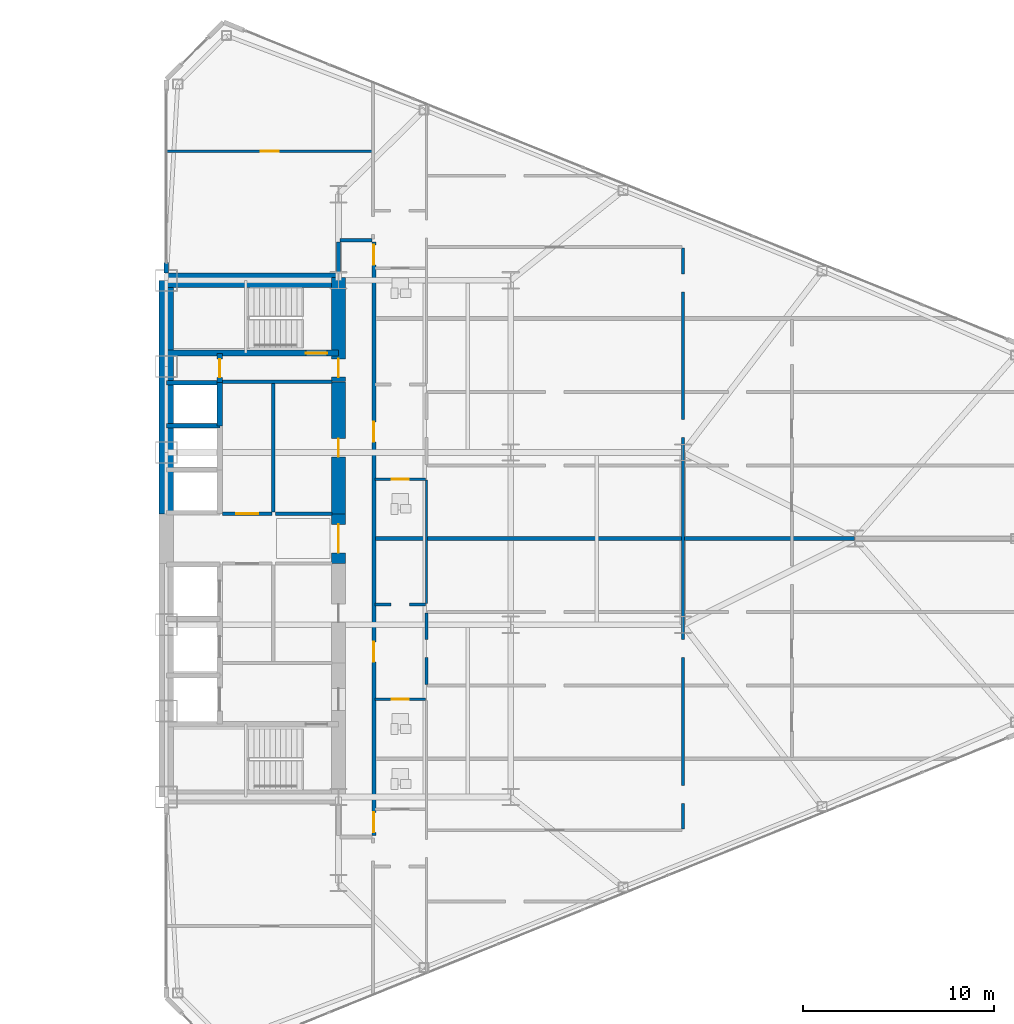
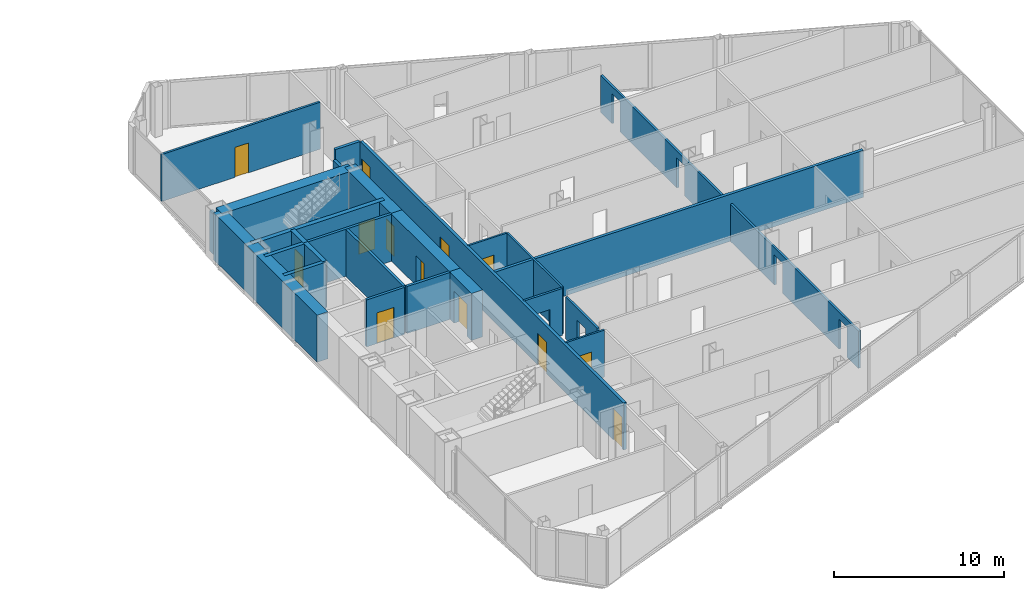
# One storey, part 21 of 25: 26 walls, 13 doors, 19 openings.
"""IFC4 building model written with IfcOpenShell, lengths in metres."""

import ifcopenshell
import ifcopenshell.guid

model = None  # the IFC model being written
_history = None  # IfcOwnerHistory: only IFC2X3 demands one
_inside = {}  # id of a spatial element -> (the spatial element, [elements in it])
_under = {}  # id of a project, library or spatial element -> (it, [spatial elements below it])
_declared = {}  # id of a project -> (the project, [libraries it declares])
_typed = {}  # id of a type object -> (the type object, [elements of that type])
_made_of = {}  # id of a material, layer set ... -> (it, [elements and type objects made of it])


def new_model(schema):
    """Start an empty IFC model of exactly this schema.

    Asked for "IFC4X3", IfcOpenShell would pick the latest addendum, in which some entities
    have other attributes; the version numbers below select the first issue.
    IFC2X3 requires an IfcOwnerHistory on every rooted entity: one is made here for all.
    """
    global model, _history
    if schema == "IFC4X3":
        model = ifcopenshell.file(schema_version=(4, 3, 0, 0))
    else:
        model = ifcopenshell.file(schema=schema)
    _inside.clear()
    _under.clear()
    _declared.clear()
    _typed.clear()
    _made_of.clear()
    _history = None
    if model.schema == "IFC2X3":
        org = make("IfcOrganization", Name="unknown")
        user = make(
            "IfcPersonAndOrganization",
            ThePerson=make("IfcPerson", FamilyName="unknown"),
            TheOrganization=org,
        )
        app = make(
            "IfcApplication",
            ApplicationDeveloper=org,
            Version="unknown",
            ApplicationFullName="unknown",
            ApplicationIdentifier="unknown",
        )
        _history = make(
            "IfcOwnerHistory",
            OwningUser=user,
            OwningApplication=app,
            ChangeAction="ADDED",
            CreationDate=0,
        )
    return model


def make(cls, **values):
    """One entity of the class cls with the attributes given. An attribute that is None is left unset."""
    return model.create_entity(
        cls, **{name: value for name, value in values.items() if value is not None}
    )


def rooted(cls, **values):
    """An entity with a GlobalId (a new one), such as an element, a storey or a relation."""
    return make(cls, GlobalId=ifcopenshell.guid.new(), OwnerHistory=_history, **values)


def si_unit(unit_type, name, prefix=None):
    """IfcSIUnit, for example si_unit("LENGTHUNIT", "METRE", prefix="MILLI")."""
    return make("IfcSIUnit", UnitType=unit_type, Prefix=prefix, Name=name)


def assignment(units):
    """IfcUnitAssignment: the units of a project."""
    return None if units is None else make("IfcUnitAssignment", Units=units)


def point(xyz):
    """IfcCartesianPoint."""
    return None if xyz is None else make("IfcCartesianPoint", Coordinates=xyz)


def direction(xyz):
    """IfcDirection."""
    return None if xyz is None else make("IfcDirection", DirectionRatios=xyz)


def frame(location, z_axis=None, x_axis=None):
    """IfcAxis2Placement3D, a coordinate frame: its origin and axes. An axis left out is left unset."""
    return make(
        "IfcAxis2Placement3D",
        Location=point(location),
        Axis=direction(z_axis),
        RefDirection=direction(x_axis),
    )


def frame_2d(location, x_axis=None):
    """IfcAxis2Placement2D, a coordinate frame in the plane: its origin and x axis."""
    return make(
        "IfcAxis2Placement2D", Location=point(location), RefDirection=direction(x_axis)
    )


def origin():
    """The frame at (0, 0, 0) with its axes left unset."""
    return frame((0.0, 0.0, 0.0))


def place(relative_to, where):
    """IfcLocalPlacement: puts the frame where relative to a parent placement (None: the world)."""
    return make(
        "IfcLocalPlacement", PlacementRelTo=relative_to, RelativePlacement=where
    )


def context(
    kind, dimensions, precision=None, world=None, true_north=None, identifier=None
):
    """IfcGeometricRepresentationContext, for example the 3D "Model" context."""
    return make(
        "IfcGeometricRepresentationContext",
        ContextIdentifier=identifier,
        ContextType=kind,
        CoordinateSpaceDimension=dimensions,
        Precision=precision,
        WorldCoordinateSystem=world,
        TrueNorth=true_north,
    )


def subcontext(parent, identifier, kind, view, scale=None):
    """IfcGeometricRepresentationSubContext, for example "Body" below "Model"."""
    return make(
        "IfcGeometricRepresentationSubContext",
        ContextIdentifier=identifier,
        ContextType=kind,
        ParentContext=parent,
        TargetScale=scale,
        TargetView=view,
    )


def project(units=None, contexts=None):
    """IfcProject with its units and contexts."""
    return rooted(
        "IfcProject",
        Name="project",
        RepresentationContexts=contexts,
        UnitsInContext=assignment(units),
    )


def spatial(cls, under=None, at=None, **own):
    """A site, building, storey or space (cls), placed at a placement, below another one or the project."""
    s = rooted(cls, ObjectPlacement=at, **own)
    if under is not None:
        _under.setdefault(under.id(), (under, []))[1].append(s)
    return s


def profile(cls, at=None, kind="AREA", **sizes):
    """A parametric profile (cls). Its sizes go by their IFC names, for example OverallWidth=200.0."""
    return make(cls, ProfileType=kind, Position=at, **sizes)


def rectangle(**sizes):
    """IfcRectangleProfileDef."""
    return profile("IfcRectangleProfileDef", **sizes)


def extrude(swept, where, along, depth):
    """IfcExtrudedAreaSolid: the profile swept, set in the frame where, extruded along a direction by depth."""
    return make(
        "IfcExtrudedAreaSolid",
        SweptArea=swept,
        Position=where,
        ExtrudedDirection=direction(along),
        Depth=depth,
    )


def shape(context_of_items, identifier, shape_type, items):
    """IfcShapeRepresentation: the items that make up one representation, for example the "Body"."""
    return make(
        "IfcShapeRepresentation",
        ContextOfItems=context_of_items,
        RepresentationIdentifier=identifier,
        RepresentationType=shape_type,
        Items=items,
    )


def source(mapping_origin, context_of_items, identifier, shape_type, items):
    """IfcRepresentationMap: a shape defined once, which mapped items show again and again."""
    return make(
        "IfcRepresentationMap",
        MappingOrigin=mapping_origin,
        MappedRepresentation=shape(context_of_items, identifier, shape_type, items),
    )


def transform(
    local_origin,
    x_axis=None,
    y_axis=None,
    z_axis=None,
    scale=None,
    scale2=None,
    scale3=None,
    uniform=True,
):
    """IfcCartesianTransformationOperator3D, or its non-uniform kind. x_axis, y_axis, z_axis: its Axis1, 2, 3."""
    if uniform:
        return make(
            "IfcCartesianTransformationOperator3D",
            Axis1=direction(x_axis),
            Axis2=direction(y_axis),
            LocalOrigin=point(local_origin),
            Scale=scale,
            Axis3=direction(z_axis),
        )
    return make(
        "IfcCartesianTransformationOperator3DnonUniform",
        Axis1=direction(x_axis),
        Axis2=direction(y_axis),
        LocalOrigin=point(local_origin),
        Scale=scale,
        Axis3=direction(z_axis),
        Scale2=scale2,
        Scale3=scale3,
    )


def mapped(mapping_source, mapping_target):
    """IfcMappedItem: shows the shape of a source again, moved by a transform."""
    return make(
        "IfcMappedItem", MappingSource=mapping_source, MappingTarget=mapping_target
    )


def material(Name=None, Category=None):
    """IfcMaterial."""
    return make("IfcMaterial", Name=Name, Category=Category)


def layer(
    of_material, thickness, ventilated=None, Name=None, Category=None, Priority=None
):
    """IfcMaterialLayer: one layer of a wall or slab, of a material (None: an air gap)."""
    return make(
        "IfcMaterialLayer",
        Material=of_material,
        LayerThickness=thickness,
        IsVentilated=ventilated,
        Name=Name,
        Category=Category,
        Priority=Priority,
    )


def layer_set(layers, Name=None):
    """IfcMaterialLayerSet."""
    return make("IfcMaterialLayerSet", MaterialLayers=layers, LayerSetName=Name)


def made_of(thing, what):
    """Note that an element or type object is made of a material, layer set ...; save() writes the relation."""
    if what is not None:
        _made_of.setdefault(what.id(), (what, []))[1].append(thing)
    return thing


def type_object(cls, material=None, **own):
    """A type object (cls), such as IfcWallType, which elements share."""
    return made_of(rooted(cls, **own), material)


def type_shapes(of_type, sources):
    """Give a type object the sources (RepresentationMaps) that its elements show as mapped items."""
    of_type.RepresentationMaps = sources


def element(
    cls,
    number,
    at=None,
    inside=None,
    cuts=None,
    type_object=None,
    material=None,
    context=None,
    identifier="Body",
    shape_type=None,
    held_by="IfcProductDefinitionShape",
    body=None,
    shapes=None,
    **own,
):
    """One element of the class cls, such as IfcWall. Its Tag is "e" and its number.

    at: its placement. inside: the storey or other place that contains it. cuts: it is an
    opening in that element (IfcRelVoidsElement). A single representation is given by context,
    identifier, shape_type and body (its items); several are given by shapes. held_by: the class
    of the entity that holds the representations. save() writes the other relations.
    """
    e = rooted(cls, Tag="e%d" % number, ObjectPlacement=at, **own)
    if body is not None:
        shapes = [shape(context, identifier, shape_type, body)]
    if shapes is not None:
        e.Representation = make(held_by, Representations=shapes)
    if inside is not None:
        _inside.setdefault(inside.id(), (inside, []))[1].append(e)
    if cuts is not None:
        rooted(
            "IfcRelVoidsElement", RelatingBuildingElement=cuts, RelatedOpeningElement=e
        )
    if type_object is not None:
        _typed.setdefault(type_object.id(), (type_object, []))[1].append(e)
    return made_of(e, material)


def fill(opening, filler):
    """IfcRelFillsElement: the door or window that sits in an opening."""
    return rooted(
        "IfcRelFillsElement",
        RelatingOpeningElement=opening,
        RelatedBuildingElement=filler,
    )


def aggregate(whole, parts):
    """IfcRelAggregates: a whole, such as a stair, and the parts it consists of."""
    return rooted("IfcRelAggregates", RelatingObject=whole, RelatedObjects=parts)


def save(model, path):
    """Write the relations noted so far, then the file.

    IfcRelAggregates (storeys below a building ...), IfcRelContainedInSpatialStructure (elements
    in a storey), IfcRelDefinesByType, IfcRelAssociatesMaterial and IfcRelDeclares: one each for
    every whole, place, type object, material and project.
    """
    for whole, parts in _under.values():
        aggregate(whole, parts)
    for where, things in _inside.values():
        rooted(
            "IfcRelContainedInSpatialStructure",
            RelatedElements=things,
            RelatingStructure=where,
        )
    for kind, things in _typed.values():
        rooted("IfcRelDefinesByType", RelatedObjects=things, RelatingType=kind)
    for what, things in _made_of.values():
        rooted("IfcRelAssociatesMaterial", RelatedObjects=things, RelatingMaterial=what)
    for by, libraries in _declared.values():
        rooted("IfcRelDeclares", RelatingContext=by, RelatedDefinitions=libraries)
    model.write(path)


model = new_model("IFC4")

# Units and contexts
model_context = context("Model", 3, precision=1e-05, world=origin(), true_north=direction((0.0, 1.0)))
body_context = subcontext(model_context, "Body", "Model", "MODEL_VIEW")
ifc_project = project(units=[si_unit("LENGTHUNIT", "METRE"), si_unit("AREAUNIT", "SQUARE_METRE"), si_unit("VOLUMEUNIT", "CUBIC_METRE"), si_unit("PLANEANGLEUNIT", "RADIAN"), si_unit("MASSUNIT", "GRAM", prefix="KILO")], contexts=[model_context])

# Site, building, storey
site_placement = place(None, origin())
site = spatial("IfcSite", under=ifc_project, at=site_placement, CompositionType="ELEMENT")
building_placement = place(site_placement, origin())
building = spatial("IfcBuilding", under=site, at=building_placement, Name="Seokmaru Belvedere", CompositionType="ELEMENT")
storey_placement = place(building_placement, frame((0.0, 0.0, 40.5)))
storey = spatial("IfcBuildingStorey", under=building, at=storey_placement, Name="L10", CompositionType="ELEMENT", Elevation=40.5)

# Wall, opening
ifc_material_1 = material(Name="Fire-Rated Gypsum Shaftwall")
ifc_layer_1 = layer(ifc_material_1, 0.14990234375)
ifc_layer_set_1 = layer_set([ifc_layer_1], Name="Fire-Rated Gypsum Shaftwall")
wall_type_1 = type_object("IfcWallType", Name="Apartment Fire-Acoustic Room Partition 150", PredefinedType="PARTITIONING", material=ifc_layer_set_1)
wall_1_placement = place(storey_placement, frame((38.39990234375, -3.449951171875, 0.0), z_axis=(0.0, 0.0, 1.0), x_axis=(1.0, 0.0, 0.0)))
wall_1 = element("IfcWall", 1, at=wall_1_placement, inside=storey, type_object=wall_type_1, Name="L10 Interior Partition 021", PredefinedType="PARTITIONING", context=body_context, shape_type="SweptSolid", body=[
    extrude(rectangle(XDim=2.650146484375, YDim=0.14990234375, at=frame_2d((1.3251953125, 0.0))), origin(), (0.0, 0.0, 1.0), 3.3798828125),
])
opening_1_placement = place(wall_1_placement, frame((0.85009765625, 0.0, 0.0)))
element("IfcOpeningElement", 2, at=opening_1_placement, cuts=wall_1, Name="L10 Cased Opening 051", PredefinedType="OPENING", context=body_context, shape_type="SweptSolid", body=[
    extrude(rectangle(XDim=0.949951171875, YDim=2.14990234375, at=frame_2d((0.47509765625, 1.074951171875))), frame((0.0, 0.0849609375, 0.0), z_axis=(0.0, -1.0, 0.0), x_axis=(1.0, 0.0, 0.0)), (0.0, 0.0, 1.0), 0.169921875),
])

# Wall, opening, door
wall_2_placement = place(storey_placement, frame((27.465087890625, 20.25, 0.0), z_axis=(0.0, 0.0, 1.0), x_axis=(1.0, 0.0, 0.0)))
wall_2 = element("IfcWall", 3, at=wall_2_placement, inside=storey, type_object=wall_type_1, Name="L10 Interior Partition 044", PredefinedType="PARTITIONING", context=body_context, shape_type="SweptSolid", body=[
    extrude(rectangle(XDim=10.784912109375, YDim=0.14990234375, at=frame_2d((5.392578125, 0.0))), origin(), (0.0, 0.0, 1.0), 3.3798828125),
])
opening_2_placement = place(wall_2_placement, frame((4.9599609375, 0.0, 0.0)))
opening_2 = element("IfcOpeningElement", 4, at=opening_2_placement, cuts=wall_2, Name="Opening D05", PredefinedType="OPENING", context=body_context, shape_type="SweptSolid", body=[
    extrude(rectangle(XDim=0.949951171875, YDim=2.14990234375, at=frame_2d((0.47509765625, 1.074951171875))), frame((0.0, 0.0849609375, 0.0), z_axis=(0.0, -1.0, 0.0), x_axis=(1.0, 0.0, 0.0)), (0.0, 0.0, 1.0), 0.169921875),
])
ifc_material_2 = material(Name="Engineered White Oak Timber", Category="wood")
door_type_1 = type_object("IfcDoorType", Name="Apartment Interior Fire-Rated Oak Door 950x2150", OperationType="NOTDEFINED", PredefinedType="DOOR", material=ifc_material_2)
shared_shape_1 = source(origin(), body_context, "Body", "SweptSolid", [
    extrude(rectangle(XDim=0.949951171875, YDim=2.14990234375, at=frame_2d((0.47509765625, 1.074951171875))), frame((0.0, 0.02490234375, 0.0), z_axis=(0.0, -1.0, 0.0), x_axis=(1.0, 0.0, 0.0)), (0.0, 0.0, 1.0), 0.050048828125),
])
type_shapes(door_type_1, [shared_shape_1])
door_1_placement = place(opening_2_placement, origin())
door_1 = element("IfcDoor", 5, at=door_1_placement, inside=storey, type_object=door_type_1, Name="L10 Interior Door 080", OperationType="SINGLE_SWING_LEFT", OverallHeight=2.14990234375, OverallWidth=0.949951171875, PredefinedType="DOOR", context=body_context, shape_type="MappedRepresentation", body=[
    mapped(shared_shape_1, transform((0.0, 0.0, 0.0), scale=1.0)),
])
fill(opening_2, door_1)

# Wall, opening
wall_3_placement = place(storey_placement, frame((41.10009765625, -7.616943359375, 0.0), z_axis=(0.0, 0.0, 1.0), x_axis=(0.0, 1.0, 0.0)))
wall_3 = element("IfcWall", 6, at=wall_3_placement, inside=storey, type_object=wall_type_1, Name="L10 Interior Partition 063", PredefinedType="PARTITIONING", context=body_context, shape_type="SweptSolid", body=[
    extrude(rectangle(XDim=3.73388671875, YDim=0.14990234375, at=frame_2d((1.866943359375, 0.0))), origin(), (0.0, 0.0, 1.0), 2.989990234375),
])
opening_3_placement = place(wall_3_placement, frame((1.39208984375, 0.0, 0.0)))
element("IfcOpeningElement", 7, at=opening_3_placement, cuts=wall_3, Name="L10 Cased Opening 052", PredefinedType="OPENING", context=body_context, shape_type="SweptSolid", body=[
    extrude(rectangle(XDim=0.949951171875, YDim=2.14990234375, at=frame_2d((0.47509765625, 1.074951171875))), frame((0.0, 0.0849609375, 0.0), z_axis=(0.0, -1.0, 0.0), x_axis=(1.0, 0.0, 0.0)), (0.0, 0.0, 1.0), 0.169921875),
])

# Wall, openings
wall_4_placement = place(storey_placement, frame((54.5, -15.18603515625, 0.0), z_axis=(0.0, 0.0, 1.0), x_axis=(0.0, 1.0, 0.0)))
wall_4 = element("IfcWall", 8, at=wall_4_placement, inside=storey, type_object=wall_type_1, Name="L10 Interior Partition 067", PredefinedType="PARTITIONING", context=body_context, shape_type="SweptSolid", body=[
    extrude(rectangle(XDim=30.3720703125, YDim=0.14990234375, at=frame_2d((15.18603515625, 0.0))), origin(), (0.0, 0.0, 1.0), 2.679931640625),
])
opening_4_placement = place(wall_4_placement, frame((1.3427734375, 0.0, 0.0)))
element("IfcOpeningElement", 9, at=opening_4_placement, cuts=wall_4, Name="L10 Cased Opening 048", PredefinedType="OPENING", context=body_context, shape_type="SweptSolid", body=[
    extrude(rectangle(XDim=0.949951171875, YDim=2.14990234375, at=frame_2d((0.47509765625, 1.074951171875))), frame((0.0, 0.0849609375, 0.0), z_axis=(0.0, -1.0, 0.0), x_axis=(1.0, 0.0, 0.0)), (0.0, 0.0, 1.0), 0.169921875),
])
opening_5_placement = place(wall_4_placement, frame((8.9609375, 0.0, 0.0)))
element("IfcOpeningElement", 10, at=opening_5_placement, cuts=wall_4, Name="L10 Cased Opening 053", PredefinedType="OPENING", context=body_context, shape_type="SweptSolid", body=[
    extrude(rectangle(XDim=0.949951171875, YDim=2.14990234375, at=frame_2d((0.47509765625, 1.074951171875))), frame((0.0, 0.0849609375, 0.0), z_axis=(0.0, -1.0, 0.0), x_axis=(1.0, 0.0, 0.0)), (0.0, 0.0, 1.0), 0.169921875),
])
opening_6_placement = place(wall_4_placement, frame((20.4609375, 0.0, 0.0)))
element("IfcOpeningElement", 11, at=opening_6_placement, cuts=wall_4, Name="L10 Cased Opening 065", PredefinedType="OPENING", context=body_context, shape_type="SweptSolid", body=[
    extrude(rectangle(XDim=0.949951171875, YDim=2.14990234375, at=frame_2d((0.47509765625, 1.074951171875))), frame((0.0, 0.0849609375, 0.0), z_axis=(0.0, -1.0, 0.0), x_axis=(1.0, 0.0, 0.0)), (0.0, 0.0, 1.0), 0.169921875),
])
opening_7_placement = place(wall_4_placement, frame((28.0791015625, 0.0, 0.0)))
element("IfcOpeningElement", 12, at=opening_7_placement, cuts=wall_4, Name="L10 Cased Opening 081", PredefinedType="OPENING", context=body_context, shape_type="SweptSolid", body=[
    extrude(rectangle(XDim=0.949951171875, YDim=2.14990234375, at=frame_2d((0.47509765625, 1.074951171875))), frame((0.0, 0.0849609375, 0.0), z_axis=(0.0, -1.0, 0.0), x_axis=(1.0, 0.0, 0.0)), (0.0, 0.0, 1.0), 0.169921875),
])

# Walls
ifc_layer_2 = layer(ifc_material_1, 0.179931640625)
ifc_layer_set_2 = layer_set([ifc_layer_2], Name="Fire-Rated Gypsum Shaftwall")
wall_type_2 = type_object("IfcWallType", Name="Core Service Fire Partition 180", PredefinedType="PARTITIONING", material=ifc_layer_set_2)
wall_5_placement = place(storey_placement, frame((30.449951171875, 8.199951171875, 0.0), z_axis=(0.0, 0.0, 1.0), x_axis=(1.0, 0.0, 0.0)))
element("IfcWall", 13, at=wall_5_placement, inside=storey, type_object=wall_type_2, Name="L10 East Smokeproof Vestibule Partition", PredefinedType="PARTITIONING", context=body_context, shape_type="SweptSolid", body=[
    extrude(rectangle(XDim=5.699951171875, YDim=0.179931640625, at=frame_2d((2.85009765625, 0.0))), origin(), (0.0, 0.0, 1.0), 3.3798828125),
])
wall_6_placement = place(storey_placement, frame((33.10009765625, 1.3798828125, 0.0), z_axis=(0.0, 0.0, 1.0), x_axis=(0.0, 1.0, 0.0)))
element("IfcWall", 14, at=wall_6_placement, inside=storey, type_object=wall_type_2, Name="L10 East North Core Service Back Wall", PredefinedType="PARTITIONING", context=body_context, shape_type="SweptSolid", body=[
    extrude(rectangle(XDim=6.740234375, YDim=0.179931640625, at=frame_2d((3.3701171875, 0.0))), origin(), (0.0, 0.0, 1.0), 3.3798828125),
])

# Wall, opening, door
wall_7_placement = place(storey_placement, frame((30.449951171875, 1.300048828125, 0.0), z_axis=(0.0, 0.0, 1.0), x_axis=(1.0, 0.0, 0.0)))
wall_7 = element("IfcWall", 15, at=wall_7_placement, inside=storey, type_object=wall_type_2, Name="L10 East North Lift Lobby Foyer Wall", PredefinedType="PARTITIONING", context=body_context, shape_type="SweptSolid", body=[
    extrude(rectangle(XDim=2.570068359375, YDim=0.179931640625, at=frame_2d((1.28515625, 0.0))), origin(), (0.0, 0.0, 1.0), 3.3798828125),
])
opening_8_placement = place(wall_7_placement, frame((0.7099609375, 0.0, 0.0)))
opening_8 = element("IfcOpeningElement", 16, at=opening_8_placement, cuts=wall_7, Name="Opening D02", PredefinedType="OPENING", context=body_context, shape_type="SweptSolid", body=[
    extrude(rectangle(XDim=1.14990234375, YDim=2.199951171875, at=frame_2d((0.574951171875, 1.10009765625))), frame((0.0, 0.10009765625, 0.0), z_axis=(0.0, -1.0, 0.0), x_axis=(1.0, 0.0, 0.0)), (0.0, 0.0, 1.0), 0.199951171875),
])
ifc_material_3 = material(Name="Fire-Rated Steel Leaf", Category="steel")
door_type_2 = type_object("IfcDoorType", Name="Lobby and Vestibule Fire Door 1150x2200", OperationType="NOTDEFINED", PredefinedType="DOOR", material=ifc_material_3)
shared_shape_2 = source(origin(), body_context, "Body", "SweptSolid", [
    extrude(rectangle(XDim=1.14990234375, YDim=2.199951171875, at=frame_2d((0.574951171875, 1.10009765625))), frame((0.0, 0.02490234375, 0.0), z_axis=(0.0, -1.0, 0.0), x_axis=(1.0, 0.0, 0.0)), (0.0, 0.0, 1.0), 0.050048828125),
])
type_shapes(door_type_2, [shared_shape_2])
door_2_placement = place(opening_8_placement, origin())
door_2 = element("IfcDoor", 17, at=door_2_placement, inside=storey, type_object=door_type_2, Name="L10 East North Lift Lobby Door", OperationType="SINGLE_SWING_LEFT", OverallHeight=2.199951171875, OverallWidth=1.14990234375, PredefinedType="DOOR", context=body_context, shape_type="MappedRepresentation", body=[
    mapped(shared_shape_2, transform((0.0, 0.0, 0.0), scale=1.0)),
])
fill(opening_8, door_2)

# Walls
wall_8_placement = place(storey_placement, frame((33.199951171875, 1.300048828125, 0.0), z_axis=(0.0, 0.0, 1.0), x_axis=(1.0, 0.0, 0.0)))
element("IfcWall", 18, at=wall_8_placement, inside=storey, type_object=wall_type_2, Name="L10 East Foyer Side Wall N", PredefinedType="PARTITIONING", context=body_context, shape_type="SweptSolid", body=[
    extrude(rectangle(XDim=2.949951171875, YDim=0.179931640625, at=frame_2d((1.47509765625, 0.0))), origin(), (0.0, 0.0, 1.0), 3.3798828125),
])
ifc_material_4 = material(Name="Concrete C50 (50 MPa)", Category="concrete")
ifc_layer_3 = layer(ifc_material_4, 0.25)
ifc_layer_set_3 = layer_set([ifc_layer_3], Name="Concrete C50 (50 MPa)")
wall_type_3 = type_object("IfcWallType", Name="Hoistway Transverse Concrete Divider Wall 250", PredefinedType="SHEAR", material=ifc_layer_set_3)
for number, where, z_axis, x_axis, name in (
    (19, (27.5, 5.89990234375, 0.0), (0.0, 0.0, 1.0), (1.0, 0.0, 0.0), "L10 East Hoistway Divider Core Wall 6"),
    (20, (27.5, 8.14990234375, 0.0), (0.0, 0.0, 1.0), (1.0, 0.0, 0.0), "L10 East Hoistway Divider Core Wall 7"),
):
    element("IfcWall", number, at=place(storey_placement, frame(where, z_axis=z_axis, x_axis=x_axis)), inside=storey, type_object=wall_type_3, Name=name, PredefinedType="SHEAR", context=body_context, shape_type="SweptSolid", body=[
        extrude(rectangle(XDim=2.800048828125, YDim=0.25, at=frame_2d((1.39990234375, 0.0))), origin(), (0.0, 0.0, 1.0), 3.3798828125),
    ])
ifc_layer_4 = layer(ifc_material_1, 0.199951171875)
ifc_layer_set_4 = layer_set([ifc_layer_4], Name="Fire-Rated Gypsum Shaftwall")
wall_type_4 = type_object("IfcWallType", Name="Inter-Tenancy Fire Compartment Partition 200", PredefinedType="PARTITIONING", material=ifc_layer_set_4)
wall_9_placement = place(storey_placement, frame((38.429931640625, 0.0, 0.0), z_axis=(0.0, 0.0, 1.0), x_axis=(1.0, 0.0, 0.0)))
element("IfcWall", 21, at=wall_9_placement, inside=storey, type_object=wall_type_4, Name="L10 Interior Partition 023", PredefinedType="PARTITIONING", context=body_context, shape_type="SweptSolid", body=[
    extrude(rectangle(XDim=25.050048828125, YDim=0.199951171875, at=frame_2d((12.52490234375, 0.0))), origin(), (0.0, 0.0, 1.0), 3.3798828125),
])
wall_10_placement = place(storey_placement, frame((36.5849609375, 15.60009765625, 0.0), z_axis=(0.0, 0.0, 1.0), x_axis=(1.0, 0.0, 0.0)))
element("IfcWall", 22, at=wall_10_placement, inside=storey, type_object=wall_type_4, Name="L10 Interior Partition 038", PredefinedType="PARTITIONING", context=body_context, shape_type="SweptSolid", body=[
    extrude(rectangle(XDim=1.679931640625, YDim=0.199951171875, at=frame_2d((0.83984375, 0.0))), origin(), (0.0, 0.0, 1.0), 3.3798828125),
])
wall_11_placement = place(storey_placement, frame((36.5, 13.8798828125, 0.0), z_axis=(0.0, 0.0, 1.0), x_axis=(0.0, 1.0, 0.0)))
element("IfcWall", 23, at=wall_11_placement, inside=storey, type_object=wall_type_4, Name="L10 Interior Partition 058", PredefinedType="PARTITIONING", context=body_context, shape_type="SweptSolid", body=[
    extrude(rectangle(XDim=1.635009765625, YDim=0.199951171875, at=frame_2d((0.8173828125, 0.0))), origin(), (0.0, 0.0, 1.0), 2.679931640625),
])

# Wall, openings, doors
wall_12_placement = place(storey_placement, frame((38.35009765625, -15.514892578125, 0.0), z_axis=(0.0, 0.0, 1.0), x_axis=(0.0, 1.0, 0.0)))
wall_12 = element("IfcWall", 24, at=wall_12_placement, inside=storey, type_object=wall_type_4, Name="L10 Interior Partition 061", PredefinedType="PARTITIONING", context=body_context, shape_type="SweptSolid", body=[
    extrude(rectangle(XDim=31.02978515625, YDim=0.199951171875, at=frame_2d((15.514892578125, 0.0))), origin(), (0.0, 0.0, 1.0), 3.3798828125),
])
opening_9_placement = place(wall_12_placement, frame((0.159912109375, 0.0, 0.0)))
opening_9 = element("IfcOpeningElement", 25, at=opening_9_placement, cuts=wall_12, Name="Opening D03", PredefinedType="OPENING", context=body_context, shape_type="SweptSolid", body=[
    extrude(rectangle(XDim=1.050048828125, YDim=2.25, at=frame_2d((0.52490234375, 1.125))), frame((0.0, 0.10986328125, 0.0), z_axis=(0.0, -1.0, 0.0), x_axis=(1.0, 0.0, 0.0)), (0.0, 0.0, 1.0), 0.219970703125),
])
opening_10_placement = place(wall_12_placement, frame((9.0673828125, 0.0, 0.0)))
opening_10 = element("IfcOpeningElement", 26, at=opening_10_placement, cuts=wall_12, Name="Opening D03", PredefinedType="OPENING", context=body_context, shape_type="SweptSolid", body=[
    extrude(rectangle(XDim=1.050048828125, YDim=2.25, at=frame_2d((0.52490234375, 1.125))), frame((0.0, 0.10986328125, 0.0), z_axis=(0.0, -1.0, 0.0), x_axis=(1.0, 0.0, 0.0)), (0.0, 0.0, 1.0), 0.219970703125),
])
opening_11_placement = place(wall_12_placement, frame((20.5673828125, 0.0, 0.0)))
opening_11 = element("IfcOpeningElement", 27, at=opening_11_placement, cuts=wall_12, Name="Opening D03", PredefinedType="OPENING", context=body_context, shape_type="SweptSolid", body=[
    extrude(rectangle(XDim=1.050048828125, YDim=2.25, at=frame_2d((0.52490234375, 1.125))), frame((0.0, 0.10986328125, 0.0), z_axis=(0.0, -1.0, 0.0), x_axis=(1.0, 0.0, 0.0)), (0.0, 0.0, 1.0), 0.219970703125),
])
opening_12_placement = place(wall_12_placement, frame((29.820068359375, 0.0, 0.0)))
opening_12 = element("IfcOpeningElement", 28, at=opening_12_placement, cuts=wall_12, Name="Opening D03", PredefinedType="OPENING", context=body_context, shape_type="SweptSolid", body=[
    extrude(rectangle(XDim=1.050048828125, YDim=2.25, at=frame_2d((0.52490234375, 1.125))), frame((0.0, 0.10986328125, 0.0), z_axis=(0.0, -1.0, 0.0), x_axis=(1.0, 0.0, 0.0)), (0.0, 0.0, 1.0), 0.219970703125),
])
door_type_3 = type_object("IfcDoorType", Name="Apartment Entrance Fire Door 1050x2250", OperationType="NOTDEFINED", PredefinedType="DOOR", material=ifc_material_3)
shared_shape_3 = source(origin(), body_context, "Body", "SweptSolid", [
    extrude(rectangle(XDim=1.050048828125, YDim=2.25, at=frame_2d((0.52490234375, 1.125))), frame((0.0, 0.02490234375, 0.0), z_axis=(0.0, -1.0, 0.0), x_axis=(1.0, 0.0, 0.0)), (0.0, 0.0, 1.0), 0.050048828125),
])
type_shapes(door_type_3, [shared_shape_3])
door_3_placement = place(opening_9_placement, origin())
door_3 = element("IfcDoor", 29, at=door_3_placement, inside=storey, type_object=door_type_3, Name="L10 Interior Door 040", OperationType="SINGLE_SWING_LEFT", OverallHeight=2.25, OverallWidth=1.050048828125, PredefinedType="DOOR", context=body_context, shape_type="MappedRepresentation", body=[
    mapped(shared_shape_3, transform((0.0, 0.0, 0.0), scale=1.0)),
])
fill(opening_9, door_3)
door_4_placement = place(opening_10_placement, origin())
door_4 = element("IfcDoor", 30, at=door_4_placement, inside=storey, type_object=door_type_3, Name="L10 Interior Door 049", OperationType="SINGLE_SWING_RIGHT", OverallHeight=2.25, OverallWidth=1.050048828125, PredefinedType="DOOR", context=body_context, shape_type="MappedRepresentation", body=[
    mapped(shared_shape_3, transform((0.0, 0.0, 0.0), scale=1.0)),
])
fill(opening_10, door_4)
door_5_placement = place(opening_11_placement, origin())
door_5 = element("IfcDoor", 31, at=door_5_placement, inside=storey, type_object=door_type_3, Name="L10 Interior Door 061", OperationType="SINGLE_SWING_LEFT", OverallHeight=2.25, OverallWidth=1.050048828125, PredefinedType="DOOR", context=body_context, shape_type="MappedRepresentation", body=[
    mapped(shared_shape_3, transform((0.0, 0.0, 0.0), scale=1.0)),
])
fill(opening_11, door_5)
door_6_placement = place(opening_12_placement, origin())
door_6 = element("IfcDoor", 32, at=door_6_placement, inside=storey, type_object=door_type_3, Name="L10 Interior Door 073", OperationType="SINGLE_SWING_RIGHT", OverallHeight=2.25, OverallWidth=1.050048828125, PredefinedType="DOOR", context=body_context, shape_type="MappedRepresentation", body=[
    mapped(shared_shape_3, transform((0.0, 0.0, 0.0), scale=1.0)),
])
fill(opening_12, door_6)

# Wall, opening, door
ifc_layer_5 = layer(ifc_material_4, 0.300048828125)
ifc_layer_set_5 = layer_set([ifc_layer_5], Name="Concrete C50 (50 MPa)")
wall_type_5 = type_object("IfcWallType", Name="Internal Core Stair and Hoistway Wall 300", PredefinedType="SHEAR", material=ifc_layer_set_5)
wall_13_placement = place(storey_placement, frame((27.5, 9.699951171875, 0.0), z_axis=(0.0, 0.0, 1.0), x_axis=(1.0, 0.0, 0.0)))
wall_13 = element("IfcWall", 33, at=wall_13_placement, inside=storey, type_object=wall_type_5, Name="L10 East Stair ST-2 Enclosure Wall", PredefinedType="SHEAR", context=body_context, shape_type="SweptSolid", body=[
    extrude(rectangle(XDim=9.0, YDim=0.300048828125, at=frame_2d((4.5, 0.0))), origin(), (0.0, 0.0, 1.0), 3.3798828125),
])
opening_13_placement = place(wall_13_placement, frame((7.300048828125, 0.0, 0.0)))
opening_13 = element("IfcOpeningElement", 34, at=opening_13_placement, cuts=wall_13, Name="Opening D01", PredefinedType="OPENING", context=body_context, shape_type="SweptSolid", body=[
    extrude(rectangle(XDim=1.10009765625, YDim=2.199951171875, at=frame_2d((0.550048828125, 1.10009765625))), frame((0.0, 0.16015625, 0.0), z_axis=(0.0, -1.0, 0.0), x_axis=(1.0, 0.0, 0.0)), (0.0, 0.0, 1.0), 0.320068359375),
])
door_type_4 = type_object("IfcDoorType", Name="Special Escape Stair Smokeproof Fire Door 1100x2200", OperationType="NOTDEFINED", PredefinedType="DOOR", material=ifc_material_3)
shared_shape_4 = source(origin(), body_context, "Body", "SweptSolid", [
    extrude(rectangle(XDim=1.10009765625, YDim=2.199951171875, at=frame_2d((0.550048828125, 1.10009765625))), frame((0.0, 0.02490234375, 0.0), z_axis=(0.0, -1.0, 0.0), x_axis=(1.0, 0.0, 0.0)), (0.0, 0.0, 1.0), 0.050048828125),
])
type_shapes(door_type_4, [shared_shape_4])
door_7_placement = place(opening_13_placement, origin())
door_7 = element("IfcDoor", 35, at=door_7_placement, inside=storey, type_object=door_type_4, Name="L10 East Special Escape Stair ST-2 Door", OperationType="SINGLE_SWING_LEFT", OverallHeight=2.199951171875, OverallWidth=1.10009765625, PredefinedType="DOOR", context=body_context, shape_type="MappedRepresentation", body=[
    mapped(shared_shape_4, transform((0.0, 0.0, 0.0), scale=1.0)),
])
fill(opening_13, door_7)

# Wall
wall_14_placement = place(storey_placement, frame((30.300048828125, 5.89990234375, 0.0), z_axis=(0.0, 0.0, 1.0), x_axis=(0.0, 1.0, 0.0)))
element("IfcWall", 36, at=wall_14_placement, inside=storey, type_object=wall_type_5, Name="L10 East North Hoistway Wall OBS", PredefinedType="SHEAR", context=body_context, shape_type="SweptSolid", body=[
    extrude(rectangle(XDim=2.25, YDim=0.300048828125, at=frame_2d((1.125, 0.0))), origin(), (0.0, 0.0, 1.0), 3.3798828125),
])

# Wall, opening, door
wall_15_placement = place(storey_placement, frame((30.300048828125, 8.14990234375, 0.0), z_axis=(0.0, 0.0, 1.0), x_axis=(0.0, 1.0, 0.0)))
wall_15 = element("IfcWall", 37, at=wall_15_placement, inside=storey, type_object=wall_type_5, Name="L10 East Electrical Riser Front Wall", PredefinedType="SHEAR", context=body_context, shape_type="SweptSolid", body=[
    extrude(rectangle(XDim=1.530029296875, YDim=0.300048828125, at=frame_2d((0.76513671875, 0.0))), origin(), (0.0, 0.0, 1.0), 3.3798828125),
])
opening_14_placement = place(wall_15_placement, frame((0.284912109375, 0.0, 0.0)))
opening_14 = element("IfcOpeningElement", 38, at=opening_14_placement, cuts=wall_15, Name="Opening D04", PredefinedType="OPENING", context=body_context, shape_type="SweptSolid", body=[
    extrude(rectangle(XDim=0.949951171875, YDim=2.14990234375, at=frame_2d((0.47509765625, 1.074951171875))), frame((0.0, 0.16015625, 0.0), z_axis=(0.0, -1.0, 0.0), x_axis=(1.0, 0.0, 0.0)), (0.0, 0.0, 1.0), 0.320068359375),
])
door_type_5 = type_object("IfcDoorType", Name="Core Service Room Fire Door 950x2150", OperationType="NOTDEFINED", PredefinedType="DOOR", material=ifc_material_3)
shared_shape_5 = source(origin(), body_context, "Body", "SweptSolid", [
    extrude(rectangle(XDim=0.949951171875, YDim=2.14990234375, at=frame_2d((0.47509765625, 1.074951171875))), frame((0.0, 0.02490234375, 0.0), z_axis=(0.0, -1.0, 0.0), x_axis=(1.0, 0.0, 0.0)), (0.0, 0.0, 1.0), 0.050048828125),
])
type_shapes(door_type_5, [shared_shape_5])
door_8_placement = place(opening_14_placement, origin())
door_8 = element("IfcDoor", 39, at=door_8_placement, inside=storey, type_object=door_type_5, Name="L10 East Electrical Riser Access Door", OperationType="SINGLE_SWING_RIGHT", OverallHeight=2.14990234375, OverallWidth=0.949951171875, PredefinedType="DOOR", context=body_context, shape_type="MappedRepresentation", body=[
    mapped(shared_shape_5, transform((0.0, 0.0, 0.0), scale=1.0)),
])
fill(opening_14, door_8)

# Walls
ifc_material_5 = material(Name="Concrete C60 (60 MPa)", Category="concrete")
ifc_layer_6 = layer(ifc_material_5, 0.75)
ifc_layer_set_6 = layer_set([ifc_layer_6], Name="Concrete C60 (60 MPa)")
wall_type_6 = type_object("IfcWallType", Name="Lower Tower Reinforced Concrete Core Wall 750", PredefinedType="SHEAR", material=ifc_layer_set_6)
wall_16_placement = place(storey_placement, frame((27.5, 1.300048828125, 0.0), z_axis=(0.0, 0.0, 1.0), x_axis=(0.0, 1.0, 0.0)))
element("IfcWall", 40, at=wall_16_placement, inside=storey, type_object=wall_type_6, Name="L10 East Portal Spine Core Wall North", PredefinedType="SHEAR", context=body_context, shape_type="SweptSolid", body=[
    extrude(rectangle(XDim=12.199951171875, YDim=0.75, at=frame_2d((6.10009765625, 0.0))), origin(), (0.0, 0.0, 1.0), 3.3798828125),
])
wall_17_placement = place(storey_placement, frame((27.5, 13.5, 0.0), z_axis=(0.0, 0.0, 1.0), x_axis=(1.0, 0.0, 0.0)))
element("IfcWall", 41, at=wall_17_placement, inside=storey, type_object=wall_type_6, Name="L10 East North Core Wall", PredefinedType="SHEAR", context=body_context, shape_type="SweptSolid", body=[
    extrude(rectangle(XDim=9.0, YDim=0.75, at=frame_2d((4.5, 0.0))), origin(), (0.0, 0.0, 1.0), 3.3798828125),
])

# Wall, opening, door
wall_18_placement = place(storey_placement, frame((36.5, -1.300048828125, 0.0), z_axis=(0.0, 0.0, 1.0), x_axis=(0.0, 1.0, 0.0)))
wall_18 = element("IfcWall", 42, at=wall_18_placement, inside=storey, type_object=wall_type_6, Name="L10 East West Core Wall FOY", PredefinedType="SHEAR", context=body_context, shape_type="SweptSolid", body=[
    extrude(rectangle(XDim=2.60009765625, YDim=0.75, at=frame_2d((1.300048828125, 0.0))), origin(), (0.0, 0.0, 1.0), 3.3798828125),
])
opening_15_placement = place(wall_18_placement, frame((0.550048828125, 0.0, 0.0)))
opening_15 = element("IfcOpeningElement", 43, at=opening_15_placement, cuts=wall_18, Name="Opening D08", PredefinedType="OPENING", context=body_context, shape_type="SweptSolid", body=[
    extrude(rectangle(XDim=1.5, YDim=2.300048828125, at=frame_2d((0.75, 1.14990234375))), frame((0.0, 0.385009765625, 0.0), z_axis=(0.0, -1.0, 0.0), x_axis=(1.0, 0.0, 0.0)), (0.0, 0.0, 1.0), 0.77001953125),
])
door_type_6 = type_object("IfcDoorType", Name="Cross-Corridor Compartment Double Fire Door 1500x2300", OperationType="DOUBLE_SWING_LEFT", PredefinedType="DOOR", material=ifc_material_3)
shared_shape_6 = source(origin(), body_context, "Body", "SweptSolid", [
    extrude(rectangle(XDim=1.5, YDim=2.300048828125, at=frame_2d((0.75, 1.14990234375))), frame((0.0, 0.02490234375, 0.0), z_axis=(0.0, -1.0, 0.0), x_axis=(1.0, 0.0, 0.0)), (0.0, 0.0, 1.0), 0.050048828125),
])
type_shapes(door_type_6, [shared_shape_6])
door_9_placement = place(opening_15_placement, origin())
door_9 = element("IfcDoor", 44, at=door_9_placement, inside=storey, type_object=door_type_6, Name="L10 East Core Foyer Compartment Door", OperationType="DOUBLE_SWING_LEFT", OverallHeight=2.300048828125, OverallWidth=1.5, PredefinedType="DOOR", context=body_context, shape_type="MappedRepresentation", body=[
    mapped(shared_shape_6, transform((0.0, 0.0, 0.0), scale=1.0)),
])
fill(opening_15, door_9)

wall_19_placement = place(storey_placement, frame((36.5, 8.199951171875, 0.0), z_axis=(0.0, 0.0, 1.0), x_axis=(0.0, 1.0, 0.0)))
wall_19 = element("IfcWall", 45, at=wall_19_placement, inside=storey, type_object=wall_type_6, Name="L10 East West Core Wall VST", PredefinedType="SHEAR", context=body_context, shape_type="SweptSolid", body=[
    extrude(rectangle(XDim=5.449951171875, YDim=0.75, at=frame_2d((2.72509765625, 0.0))), origin(), (0.0, 0.0, 1.0), 3.3798828125),
])
opening_16_placement = place(wall_19_placement, frame((0.2451171875, 0.0, 0.0)))
opening_16 = element("IfcOpeningElement", 46, at=opening_16_placement, cuts=wall_19, Name="Opening D04", PredefinedType="OPENING", context=body_context, shape_type="SweptSolid", body=[
    extrude(rectangle(XDim=0.949951171875, YDim=2.14990234375, at=frame_2d((0.47509765625, 1.074951171875))), frame((0.0, 0.385009765625, 0.0), z_axis=(0.0, -1.0, 0.0), x_axis=(1.0, 0.0, 0.0)), (0.0, 0.0, 1.0), 0.77001953125),
])
door_10_placement = place(opening_16_placement, origin())
door_10 = element("IfcDoor", 47, at=door_10_placement, inside=storey, type_object=door_type_5, Name="L10 East Smokeproof Vestibule Door", OperationType="SINGLE_SWING_LEFT", OverallHeight=2.14990234375, OverallWidth=0.949951171875, PredefinedType="DOOR", context=body_context, shape_type="MappedRepresentation", body=[
    mapped(shared_shape_5, transform((0.0, 0.0, 0.0), scale=1.0)),
])
fill(opening_16, door_10)

wall_20_placement = place(storey_placement, frame((36.5, 1.300048828125, 0.0), z_axis=(0.0, 0.0, 1.0), x_axis=(0.0, 1.0, 0.0)))
wall_20 = element("IfcWall", 48, at=wall_20_placement, inside=storey, type_object=wall_type_6, Name="L10 East West Core Wall CS2", PredefinedType="SHEAR", context=body_context, shape_type="SweptSolid", body=[
    extrude(rectangle(XDim=6.89990234375, YDim=0.75, at=frame_2d((3.449951171875, 0.0))), origin(), (0.0, 0.0, 1.0), 3.3798828125),
])
opening_17_placement = place(wall_20_placement, frame((2.97509765625, 0.0, 0.0)))
opening_17 = element("IfcOpeningElement", 49, at=opening_17_placement, cuts=wall_20, Name="Opening D04", PredefinedType="OPENING", context=body_context, shape_type="SweptSolid", body=[
    extrude(rectangle(XDim=0.949951171875, YDim=2.14990234375, at=frame_2d((0.47509765625, 1.074951171875))), frame((0.0, 0.385009765625, 0.0), z_axis=(0.0, -1.0, 0.0), x_axis=(1.0, 0.0, 0.0)), (0.0, 0.0, 1.0), 0.77001953125),
])
door_11_placement = place(opening_17_placement, origin())
door_11 = element("IfcDoor", 50, at=door_11_placement, inside=storey, type_object=door_type_5, Name="L10 East Core Service Room Door 2", OperationType="SINGLE_SWING_LEFT", OverallHeight=2.14990234375, OverallWidth=0.949951171875, PredefinedType="DOOR", context=body_context, shape_type="MappedRepresentation", body=[
    mapped(shared_shape_5, transform((0.0, 0.0, 0.0), scale=1.0)),
])
fill(opening_17, door_11)

ifc_layer_7 = layer(ifc_material_1, 0.1298828125)
ifc_layer_set_7 = layer_set([ifc_layer_7], Name="Fire-Rated Gypsum Shaftwall")
wall_type_7 = type_object("IfcWallType", Name="Moisture-Resistant Fire-Rated Bathroom Partition 130", PredefinedType="PARTITIONING", material=ifc_layer_set_7)
wall_21_placement = place(storey_placement, frame((38.39990234375, -8.39990234375, 0.0), z_axis=(0.0, 0.0, 1.0), x_axis=(1.0, 0.0, 0.0)))
wall_21 = element("IfcWall", 51, at=wall_21_placement, inside=storey, type_object=wall_type_7, Name="L10 Interior Partition 015", PredefinedType="PARTITIONING", context=body_context, shape_type="SweptSolid", body=[
    extrude(rectangle(XDim=2.650146484375, YDim=0.1298828125, at=frame_2d((1.3251953125, 0.0))), origin(), (0.0, 0.0, 1.0), 3.3798828125),
])
opening_18_placement = place(wall_21_placement, frame((0.885009765625, 0.0, 0.0)))
opening_18 = element("IfcOpeningElement", 52, at=opening_18_placement, cuts=wall_21, Name="Opening D06", PredefinedType="OPENING", context=body_context, shape_type="SweptSolid", body=[
    extrude(rectangle(XDim=0.8798828125, YDim=2.10009765625, at=frame_2d((0.43994140625, 1.050048828125))), frame((0.0, 0.074951171875, 0.0), z_axis=(0.0, -1.0, 0.0), x_axis=(1.0, 0.0, 0.0)), (0.0, 0.0, 1.0), 0.14990234375),
])
door_type_7 = type_object("IfcDoorType", Name="Bathroom and Restroom Fire-Rated Door 880x2100", OperationType="NOTDEFINED", PredefinedType="DOOR", material=ifc_material_2)
shared_shape_7 = source(origin(), body_context, "Body", "SweptSolid", [
    extrude(rectangle(XDim=0.8798828125, YDim=2.10009765625, at=frame_2d((0.43994140625, 1.050048828125))), frame((0.0, 0.02490234375, 0.0), z_axis=(0.0, -1.0, 0.0), x_axis=(1.0, 0.0, 0.0)), (0.0, 0.0, 1.0), 0.050048828125),
])
type_shapes(door_type_7, [shared_shape_7])
door_12_placement = place(opening_18_placement, origin())
door_12 = element("IfcDoor", 53, at=door_12_placement, inside=storey, type_object=door_type_7, Name="L10 Interior Door 050", OperationType="SINGLE_SWING_RIGHT", OverallHeight=2.10009765625, OverallWidth=0.8798828125, PredefinedType="DOOR", context=body_context, shape_type="MappedRepresentation", body=[
    mapped(shared_shape_7, transform((0.0, 0.0, 0.0), scale=1.0)),
])
fill(opening_18, door_12)

wall_22_placement = place(storey_placement, frame((38.39990234375, 3.10009765625, 0.0), z_axis=(0.0, 0.0, 1.0), x_axis=(1.0, 0.0, 0.0)))
wall_22 = element("IfcWall", 54, at=wall_22_placement, inside=storey, type_object=wall_type_7, Name="L10 Interior Partition 026", PredefinedType="PARTITIONING", context=body_context, shape_type="SweptSolid", body=[
    extrude(rectangle(XDim=2.650146484375, YDim=0.1298828125, at=frame_2d((1.3251953125, 0.0))), origin(), (0.0, 0.0, 1.0), 3.3798828125),
])
opening_19_placement = place(wall_22_placement, frame((0.885009765625, 0.0, 0.0)))
opening_19 = element("IfcOpeningElement", 55, at=opening_19_placement, cuts=wall_22, Name="Opening D06", PredefinedType="OPENING", context=body_context, shape_type="SweptSolid", body=[
    extrude(rectangle(XDim=0.8798828125, YDim=2.10009765625, at=frame_2d((0.43994140625, 1.050048828125))), frame((0.0, 0.074951171875, 0.0), z_axis=(0.0, -1.0, 0.0), x_axis=(1.0, 0.0, 0.0)), (0.0, 0.0, 1.0), 0.14990234375),
])
door_13_placement = place(opening_19_placement, origin())
door_13 = element("IfcDoor", 56, at=door_13_placement, inside=storey, type_object=door_type_7, Name="L10 Interior Door 062", OperationType="SINGLE_SWING_RIGHT", OverallHeight=2.10009765625, OverallWidth=0.8798828125, PredefinedType="DOOR", context=body_context, shape_type="MappedRepresentation", body=[
    mapped(shared_shape_7, transform((0.0, 0.0, 0.0), scale=1.0)),
])
fill(opening_19, door_13)

# Walls
wall_23_placement = place(storey_placement, frame((41.10009765625, -3.39794921875, 0.0), z_axis=(0.0, 0.0, 1.0), x_axis=(0.0, 1.0, 0.0)))
element("IfcWall", 57, at=wall_23_placement, inside=storey, type_object=wall_type_7, Name="L10 Interior Partition 064", PredefinedType="PARTITIONING", context=body_context, shape_type="SweptSolid", body=[
    extrude(rectangle(XDim=6.450927734375, YDim=0.1298828125, at=frame_2d((3.2255859375, 0.0))), origin(), (0.0, 0.0, 1.0), 3.3798828125),
])
ifc_material_6 = material(Name="Anodised Bronze Aluminium", Category="aluminium")
ifc_layer_8 = layer(ifc_material_6, 0.239990234375)
ifc_layer_set_8 = layer_set([ifc_layer_8], Name="Anodised Bronze Aluminium")
wall_type_8 = type_object("IfcWallType", Name="Tower Corner Spandrel Closure Wall 240", PredefinedType="SOLIDWALL", material=ifc_layer_set_8)
wall_24_placement = place(storey_placement, frame((27.5, 13.8798828125, 0.0), z_axis=(0.0, 0.0, 1.0), x_axis=(0.0, 1.0, 0.0)))
element("IfcWall", 58, at=wall_24_placement, inside=storey, type_object=wall_type_8, Name="L10 E Spine Closure Pier 2A", PredefinedType="SOLIDWALL", context=body_context, shape_type="SweptSolid", body=[
    extrude(rectangle(XDim=0.550048828125, YDim=0.239990234375, at=frame_2d((0.27490234375, 0.0))), origin(), (0.0, 0.0, 1.0), 2.8798828125),
])

save(model, "model.ifc")
